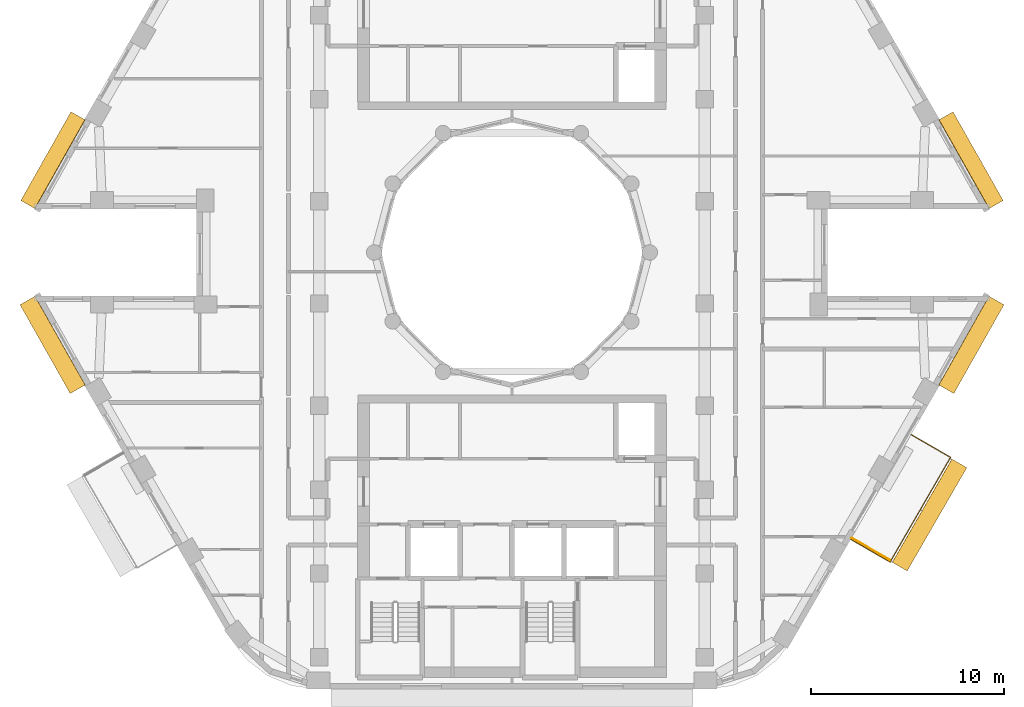
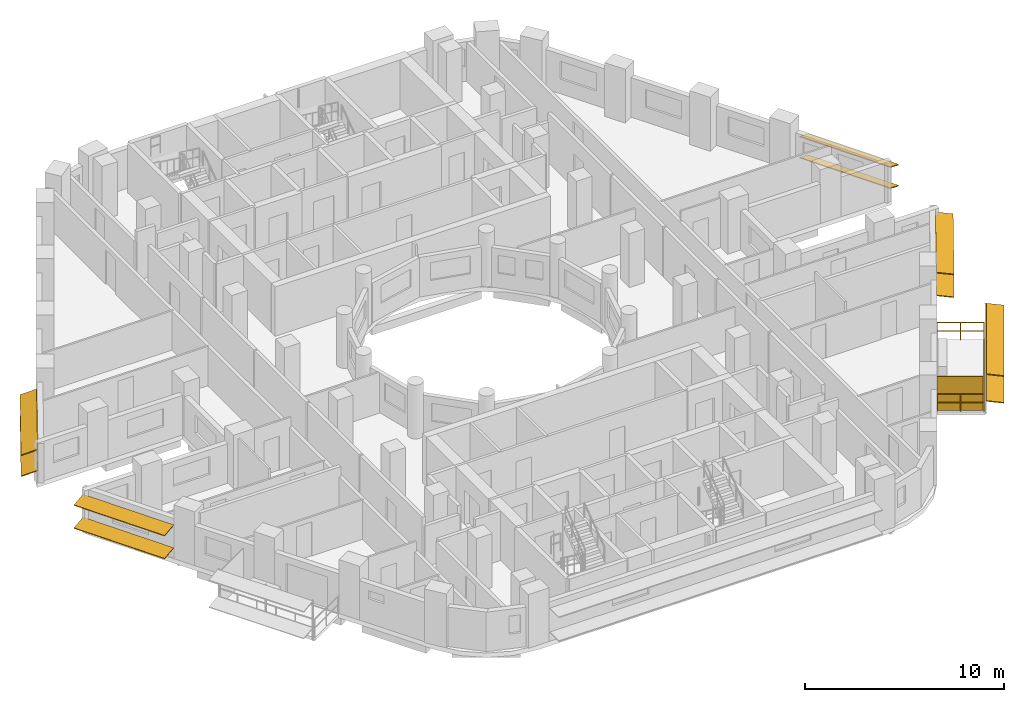
# One storey, part 14 of 15: 11 shading devices, 1 railing.
"""IFC4 building model written with IfcOpenShell, lengths in metres."""

from ifc_helpers import new_model, si_unit, direction, frame, origin, origin_2d, place, context, subcontext, project, spatial, rectangle, circle, extrude, material, layer, layer_set, material_profile, profile_set, type_object, element, save


model = new_model("IFC4")

# Units and contexts
model_context = context("Model", 3, precision=1e-05, world=origin(), true_north=direction((0.0, 1.0)))
body_context = subcontext(model_context, "Body", "Model", "MODEL_VIEW")
ifc_project = project(units=[si_unit("LENGTHUNIT", "METRE"), si_unit("AREAUNIT", "SQUARE_METRE"), si_unit("VOLUMEUNIT", "CUBIC_METRE"), si_unit("PLANEANGLEUNIT", "RADIAN"), si_unit("MASSUNIT", "GRAM", prefix="KILO")], contexts=[model_context])

# Site, building, storey
site_placement = place(None, origin())
site = spatial("IfcSite", under=ifc_project, at=site_placement, CompositionType="ELEMENT")
building_placement = place(site_placement, origin())
building = spatial("IfcBuilding", under=site, at=building_placement, Name="Nakaniwa Court", CompositionType="ELEMENT")
storey_placement = place(building_placement, frame((0.0, 0.0, 183.300048828125)))
storey = spatial("IfcBuildingStorey", under=building, at=storey_placement, Name="L47", CompositionType="ELEMENT", Elevation=183.300048828125)

# Railing
ifc_material_1 = material(Name="Black powder-coated steel flat bar balustrade S275", Category="steel")
railing_type = type_object("IfcRailingType", Name="Black metal balcony guard 1100", PredefinedType="GUARDRAIL", material=ifc_material_1)
railing_placement = place(storey_placement, frame((97.566162109375, 65.12548828125, -0.050048828125)))
element("IfcRailing", 1, at=railing_placement, inside=storey, type_object=railing_type, Name="L47 balcony guard 02", PredefinedType="GUARDRAIL", context=body_context, shape_type="SweptSolid", body=[
    extrude(circle(Radius=0.02392578125, at=origin_2d()), frame((0.0, 0.0, 1.076171875), z_axis=(0.865980564943, -0.500077655111, 0.0), x_axis=(0.500077655111, 0.865980564943, 0.0)), (0.0, 0.0, 1.0), 2.35986328125),
    extrude(circle(Radius=0.02392578125, at=origin_2d()), frame((0.0, 0.0, 0.550048828125), z_axis=(0.865980564943, -0.500077655111, 0.0), x_axis=(0.500077655111, 0.865980564943, 0.0)), (0.0, 0.0, 1.0), 2.35986328125),
    extrude(circle(Radius=0.02392578125, at=origin_2d()), frame((2.043701171875, -1.18017578125, 1.076171875), z_axis=(0.500023755625, 0.866011688033, 0.0), x_axis=(-0.866011688033, 0.500023755625, 0.0)), (0.0, 0.0, 1.0), 6.265869140625),
    extrude(circle(Radius=0.02392578125, at=origin_2d()), frame((2.043701171875, -1.18017578125, 0.550048828125), z_axis=(0.500023755625, 0.866011688033, 0.0), x_axis=(-0.866011688033, 0.500023755625, 0.0)), (0.0, 0.0, 1.0), 6.265869140625),
    extrude(circle(Radius=0.02392578125, at=origin_2d()), frame((5.1767578125, 4.24609375, 1.076171875), z_axis=(-0.865980564943, 0.500077655111, 0.0), x_axis=(-0.500077655111, -0.865980564943, 0.0)), (0.0, 0.0, 1.0), 2.35986328125),
    extrude(circle(Radius=0.02392578125, at=origin_2d()), frame((5.1767578125, 4.24609375, 0.550048828125), z_axis=(-0.865980564943, 0.500077655111, 0.0), x_axis=(-0.500077655111, -0.865980564943, 0.0)), (0.0, 0.0, 1.0), 2.35986328125),
    extrude(circle(Radius=0.02099609375, at=origin_2d()), origin(), (0.0, 0.0, 1.0), 1.052001953125),
    extrude(circle(Radius=0.02099609375, at=origin_2d()), frame((1.02197265625, -0.590087890625, 0.0)), (0.0, 0.0, 1.0), 1.052001953125),
    extrude(circle(Radius=0.02099609375, at=origin_2d()), frame((2.043701171875, -1.18017578125, 0.0)), (0.0, 0.0, 1.0), 1.052001953125),
    extrude(circle(Radius=0.02099609375, at=origin_2d()), frame((2.56591796875, -0.27587890625, 0.0)), (0.0, 0.0, 1.0), 1.052001953125),
    extrude(circle(Radius=0.02099609375, at=origin_2d()), frame((3.088134765625, 0.628662109375, 0.0)), (0.0, 0.0, 1.0), 1.052001953125),
    extrude(circle(Radius=0.02099609375, at=origin_2d()), frame((3.6103515625, 1.532958984375, 0.0)), (0.0, 0.0, 1.0), 1.052001953125),
    extrude(circle(Radius=0.02099609375, at=origin_2d()), frame((4.13232421875, 2.437255859375, 0.0)), (0.0, 0.0, 1.0), 1.052001953125),
    extrude(circle(Radius=0.02099609375, at=origin_2d()), frame((4.654541015625, 3.341796875, 0.0)), (0.0, 0.0, 1.0), 1.052001953125),
    extrude(circle(Radius=0.02099609375, at=origin_2d()), frame((5.1767578125, 4.24609375, 0.0)), (0.0, 0.0, 1.0), 1.052001953125),
    extrude(circle(Radius=0.02099609375, at=origin_2d()), frame((4.15478515625, 4.836181640625, 0.0)), (0.0, 0.0, 1.0), 1.052001953125),
    extrude(circle(Radius=0.02099609375, at=origin_2d()), frame((3.133056640625, 5.42626953125, 0.0)), (0.0, 0.0, 1.0), 1.052001953125),
])

# Shading devices
ifc_material_2 = material(Name="Black powder-coated aluminium slat screen", Category="aluminium")
ifc_layer = layer(ifc_material_2, 0.0400390625)
ifc_layer_set = layer_set([ifc_layer], Name="Black powder-coated aluminium slat screen")
shading_device_type_1 = type_object("IfcShadingDeviceType", Name="Koshi screen black metal", PredefinedType="USERDEFINED", material=ifc_layer_set)
shading_device_placement = place(storey_placement, frame((98.606201171875, 64.6171875, -0.050048828125), z_axis=(0.0, 0.0, 1.0), x_axis=(0.500016626402, 0.866015804314, 0.0)))
element("IfcShadingDevice", 2, at=shading_device_placement, inside=storey, type_object=shading_device_type_1, Name="L47 balcony SCREEN 02 W", ObjectType="KOSHI SCREEN", PredefinedType="USERDEFINED", context=body_context, shape_type="SweptSolid", body=[
    extrude(rectangle(XDim=0.0400390625, YDim=2.31005859375, at=origin_2d()), origin(), (0.0, 0.0, 1.0), 2.10009765625),
])
ifc_material_3 = material(Name="Perforated charcoal ceramic louvre blade")
ifc_material_profile = material_profile(ifc_material_3, rectangle(XDim=0.89990234375, YDim=0.050048828125, at=origin_2d()), Name="Perforated ceramic louvre blade")
ifc_profile_set = profile_set([ifc_material_profile], Name="Perforated charcoal ceramic louvre blade")
shading_device_type_2 = type_object("IfcShadingDeviceType", Name="Perforated ceramic louvre blade", PredefinedType="JALOUSIE", material=ifc_profile_set)
for number, where, z_axis, x_axis, name in (
    (3, (100.105712890625, 63.705322265625, 0.5), (0.5000060101, 0.866021933824, 0.0), (-0.858612996127, 0.495728389369, 0.13052619222), "L47 perforated ceramic louvre blade 02 1"),
    (4, (100.105712890625, 63.705322265625, 2.14990234375), (0.5000060101, 0.866021933824, 0.0), (-0.858612996127, 0.495728389369, 0.13052619222), "L47 perforated ceramic louvre blade 02 2"),
):
    element("IfcShadingDevice", number, at=place(storey_placement, frame(where, z_axis=z_axis, x_axis=x_axis)), inside=storey, type_object=shading_device_type_2, Name=name, PredefinedType="JALOUSIE", context=body_context, shape_type="SweptSolid", body=[
        extrude(rectangle(XDim=0.89990234375, YDim=0.050048828125, at=origin_2d()), origin(), (0.0, 0.0, 1.0), 6.18603515625),
    ])
for number, where, z_axis, x_axis, name in (
    (5, (105.103759765625, 82.480224609375, 0.550048828125), (-0.492005517921, 0.870592080331, 0.0), (-0.804902454764, -0.454881750109, 0.38107037635), "L47 perforated ceramic louvre blade w02 1"),
    (6, (105.103759765625, 82.480224609375, 1.845458984375), (-0.492005517921, 0.870592080331, 0.0), (-0.804902454764, -0.454881750109, 0.38107037635), "L47 perforated ceramic louvre blade w02 2"),
    (7, (57.497314453125, 87.082763671875, 0.550048828125), (-0.492005517921, -0.870592080331, 0.0), (0.804902454764, -0.454881750109, 0.38107037635), "L47 perforated ceramic louvre blade w14 1"),
    (8, (57.497314453125, 87.082763671875, 1.845458984375), (-0.492005517921, -0.870592080331, 0.0), (0.804902454764, -0.454881750109, 0.38107037635), "L47 perforated ceramic louvre blade w14 2"),
):
    element("IfcShadingDevice", number, at=place(storey_placement, frame(where, z_axis=z_axis, x_axis=x_axis)), inside=storey, type_object=shading_device_type_2, Name=name, PredefinedType="JALOUSIE", context=body_context, shape_type="SweptSolid", body=[
        extrude(rectangle(XDim=0.89990234375, YDim=0.050048828125, at=origin_2d()), origin(), (0.0, 0.0, 1.0), 5.28662109375),
    ])
for number, where, z_axis, x_axis, name in (
    (9, (54.87548828125, 77.508056640625, 0.550048828125), (0.492040518232, -0.870572299363, 0.0), (0.862924792041, 0.487718208105, 0.132256390257), "L47 perforated ceramic louvre blade w20 1"),
    (10, (54.87548828125, 77.508056640625, 1.95556640625), (0.492040518232, -0.870572299363, 0.0), (0.862924792041, 0.487718208105, 0.132256390257), "L47 perforated ceramic louvre blade w20 2"),
    (11, (102.523193359375, 72.905517578125, 0.550048828125), (0.492040518232, 0.870572299363, 0.0), (-0.862924792041, 0.487718208105, 0.132256390257), "L47 perforated ceramic louvre blade w32 1"),
    (12, (102.523193359375, 72.905517578125, 1.95556640625), (0.492040518232, 0.870572299363, 0.0), (-0.862924792041, 0.487718208105, 0.132256390257), "L47 perforated ceramic louvre blade w32 2"),
):
    element("IfcShadingDevice", number, at=place(storey_placement, frame(where, z_axis=z_axis, x_axis=x_axis)), inside=storey, type_object=shading_device_type_2, Name=name, PredefinedType="JALOUSIE", context=body_context, shape_type="SweptSolid", body=[
        extrude(rectangle(XDim=0.89990234375, YDim=0.050048828125, at=origin_2d()), origin(), (0.0, 0.0, 1.0), 5.286865234375),
    ])

save(model, "model.ifc")
